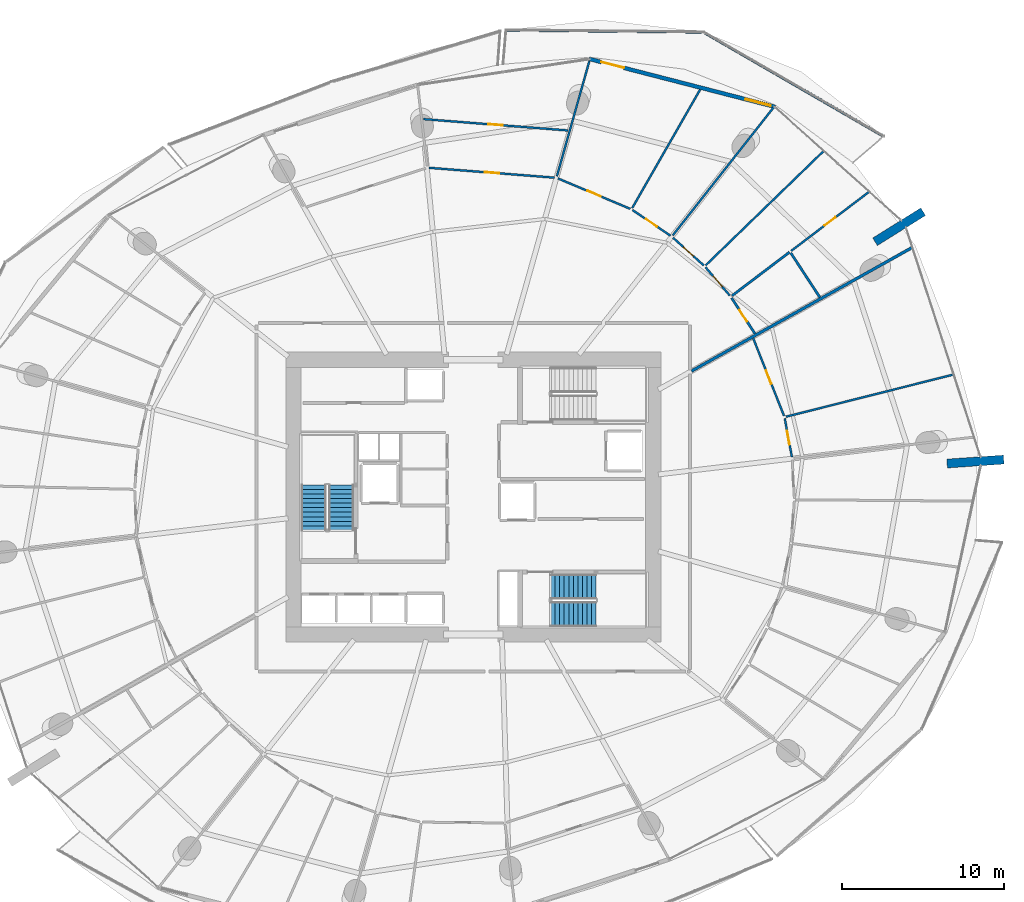
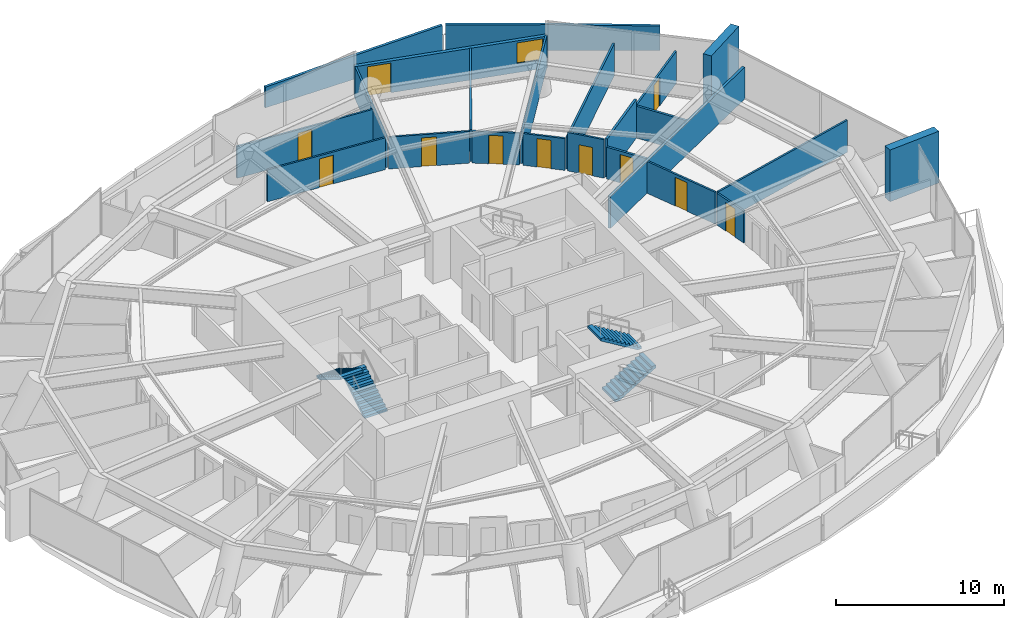
# One storey, part 23 of 31: 23 walls, 11 doors, 4 stair flights, 1 window, 12 openings, 2 elements without a shape of their own.
"""IFC4 building model written with IfcOpenShell, lengths in metres."""

from ifc_helpers import new_model, si_unit, direction, frame, frame_2d, origin, place, context, subcontext, project, spatial, polyline, rectangle, outline, extrude, material, layer, layer_set, type_object, element, fill, aggregate, save


model = new_model("IFC4")

# Units and contexts
model_context = context("Model", 3, precision=1e-05, world=origin(), true_north=direction((0.0, 1.0)))
body_context = subcontext(model_context, "Body", "Model", "MODEL_VIEW")
ifc_project = project(units=[si_unit("LENGTHUNIT", "METRE"), si_unit("AREAUNIT", "SQUARE_METRE"), si_unit("VOLUMEUNIT", "CUBIC_METRE"), si_unit("PLANEANGLEUNIT", "RADIAN"), si_unit("MASSUNIT", "GRAM", prefix="KILO")], contexts=[model_context])

# Site, building, storey
site_placement = place(None, origin())
site = spatial("IfcSite", under=ifc_project, at=site_placement, CompositionType="ELEMENT")
building_placement = place(site_placement, origin())
building = spatial("IfcBuilding", under=site, at=building_placement, Name="Kazma Halo Residences", CompositionType="ELEMENT")
storey_placement = place(building_placement, frame((0.0, 0.0, 71.39990234375)))
storey = spatial("IfcBuildingStorey", under=building, at=storey_placement, Name="L17", CompositionType="ELEMENT", Elevation=71.39990234375)

# Walls
ifc_material_1 = material(Name="White Concrete C50/60 Balustrade", Category="concrete")
ifc_layer_1 = layer(ifc_material_1, 0.179931640625)
ifc_layer_set_1 = layer_set([ifc_layer_1], Name="White Concrete C50/60 Balustrade")
wall_type_1 = type_object("IfcWallType", Name="WL-BAL-WAVE-180", PredefinedType="PARAPET", material=ifc_layer_set_1)
wall_1_placement = place(storey_placement, frame((73.763916015625, 64.278076171875, 0.0), z_axis=(0.0, 0.0, 1.0), x_axis=(-0.865601166392, 0.500734081865, 0.0)))
element("IfcWall", 1, at=wall_1_placement, inside=storey, type_object=wall_type_1, Name="L17 white wave balustrade wall NE.1", PredefinedType="PARAPET", context=body_context, shape_type="SweptSolid", body=[
    extrude(outline(polyline([(0.0, 0.0), (12.739990234375, 0.0), (12.739990234375, 1.83203125), (6.3701171875, 1.85302734375), (0.0, 1.756103515625), (0.0, 0.0)])), frame((0.0, 0.08984375, 0.0), z_axis=(0.0, -1.0, 0.0), x_axis=(1.0, 0.0, 0.0)), (0.0, 0.0, 1.0), 0.179931640625),
])
wall_2_placement = place(storey_placement, frame((62.51220703125, 70.71875, 0.0), z_axis=(0.0, 0.0, 1.0), x_axis=(-0.999947583676, 0.010238647403, 0.0)))
element("IfcWall", 2, at=wall_2_placement, inside=storey, type_object=wall_type_1, Name="L17 white wave balustrade wall NE.2", PredefinedType="PARAPET", context=body_context, shape_type="SweptSolid", body=[
    extrude(outline(polyline([(0.0, 0.0), (12.065673828125, 0.0), (12.065673828125, 1.4970703125), (6.03271484375, 1.696044921875), (0.0, 1.83203125), (0.0, 0.0)])), frame((0.0, 0.08984375, 0.0), z_axis=(0.0, -1.0, 0.0), x_axis=(1.0, 0.0, 0.0)), (0.0, 0.0, 1.0), 0.179931640625),
])
ifc_material_2 = material(Name="Pale Concrete C60/75", Category="concrete")
ifc_layer_2 = layer(ifc_material_2, 0.550048828125)
ifc_layer_set_2 = layer_set([ifc_layer_2], Name="Pale Concrete C60/75")
wall_type_2 = type_object("IfcWallType", Name="WL-BLADE-550", PredefinedType="SOLIDWALL", material=ifc_layer_set_2)
for number, where, z_axis, x_axis, name in (
    (3, (73.229736328125, 57.765380859375, 0.0), (0.0, 0.0, 1.0), (0.848053161125, 0.529911158502, 0.0), "L17 pale concrete structural blade fin wall BW-01"),
    (4, (77.677978515625, 44.0751953125, 0.0), (0.0, 0.0, 1.0), (0.997564163539, 0.069754853754, 0.0), "L17 pale concrete structural blade fin wall BW-04"),
):
    element("IfcWall", number, at=place(storey_placement, frame(where, z_axis=z_axis, x_axis=x_axis)), inside=storey, type_object=wall_type_2, Name=name, PredefinedType="SOLIDWALL", context=body_context, shape_type="SweptSolid", body=[
        extrude(rectangle(XDim=3.5, YDim=0.550048828125, at=frame_2d((1.75, 0.0))), origin(), (0.0, 0.0, 1.0), 3.75),
    ])
ifc_material_3 = material(Name="Acoustic Twin-Stud Gypsum")
ifc_layer_3 = layer(ifc_material_3, 0.179931640625)
ifc_layer_set_3 = layer_set([ifc_layer_3], Name="Acoustic Twin-Stud Gypsum")
wall_type_3 = type_object("IfcWallType", Name="WL-DEM-180", PredefinedType="PARTITIONING", material=ifc_layer_set_3)
wall_3_placement = place(storey_placement, frame((61.89599609375, 49.781982421875, 0.0), z_axis=(0.0, 0.0, 1.0), x_axis=(0.872493215695, 0.488626225828, 0.0)))
element("IfcWall", 5, at=wall_3_placement, inside=storey, type_object=wall_type_3, Name="L17 apartment demising radial wall 00", PredefinedType="PARTITIONING", context=body_context, shape_type="SweptSolid", body=[
    extrude(rectangle(XDim=15.612060546875, YDim=0.179931640625, at=frame_2d((7.80615234375, 0.0))), origin(), (0.0, 0.0, 1.0), 2.30712890625),
])

# Wall, openings, door, window
ifc_material_4 = material(Name="Insulated Pale-Metal Composite Wall")
ifc_layer_4 = layer(ifc_material_4, 0.239990234375)
ifc_layer_set_4 = layer_set([ifc_layer_4], Name="Insulated Pale-Metal Composite Wall")
wall_type_4 = type_object("IfcWallType", Name="WL-EXT-HOST-240", PredefinedType="SOLIDWALL", material=ifc_layer_set_4)
wall_4_placement = place(storey_placement, frame((67.05419921875, 66.09619140625, 0.0), z_axis=(0.0, 0.0, 1.0), x_axis=(-0.96833871487, 0.249640007378, 0.0)))
wall_4 = element("IfcWall", 6, at=wall_4_placement, inside=storey, type_object=wall_type_4, Name="L17 exterior terrace-access wall B02", PredefinedType="SOLIDWALL", context=body_context, shape_type="SweptSolid", body=[
    extrude(rectangle(XDim=11.85107421875, YDim=0.239990234375, at=frame_2d((5.925537109375, 0.0))), origin(), (0.0, 0.0, 1.0), 2.300048828125),
])
opening_1_placement = place(wall_4_placement, frame((9.631103515625, 0.0, 0.0)))
opening_1 = element("IfcOpeningElement", 7, at=opening_1_placement, cuts=wall_4, Name="Opening DTR-1600", PredefinedType="OPENING", context=body_context, shape_type="SweptSolid", body=[
    extrude(rectangle(XDim=1.449951171875, YDim=2.14990234375, at=frame_2d((0.72509765625, 1.074951171875))), frame((0.0, 0.1298828125, 0.0), z_axis=(0.0, -1.0, 0.0), x_axis=(1.0, 0.0, 0.0)), (0.0, 0.0, 1.0), 0.260009765625),
])
opening_2_placement = place(wall_4_placement, frame((0.280029296875, 0.0, 0.64990234375)))
opening_2 = element("IfcOpeningElement", 8, at=opening_2_placement, cuts=wall_4, Name="Opening W-1800", PredefinedType="OPENING", context=body_context, shape_type="SweptSolid", body=[
    extrude(rectangle(XDim=1.60009765625, YDim=1.5, at=frame_2d((0.800048828125, 0.75))), frame((0.0, 0.1298828125, 0.0), z_axis=(0.0, -1.0, 0.0), x_axis=(1.0, 0.0, 0.0)), (0.0, 0.0, 1.0), 0.260009765625),
])
ifc_material_5 = material(Name="Aluminium AW-6063 T6 Double-Glazed Terrace Door", Category="aluminium")
door_type_1 = type_object("IfcDoorType", Name="DR-EXT-TERR-1600", OperationType="NOTDEFINED", PredefinedType="DOOR", material=ifc_material_5)
door_1_placement = place(opening_1_placement, origin())
door_1 = element("IfcDoor", 9, at=door_1_placement, inside=storey, type_object=door_type_1, Name="L17 B02 balcony terrace door", OperationType="DOUBLE_DOOR_SLIDING", OverallHeight=2.14990234375, OverallWidth=1.449951171875, PredefinedType="DOOR", context=body_context, shape_type="SweptSolid", body=[
    extrude(rectangle(XDim=1.449951171875, YDim=2.14990234375, at=frame_2d((0.72509765625, 1.074951171875))), frame((0.0, 0.02490234375, 0.0), z_axis=(0.0, -1.0, 0.0), x_axis=(1.0, 0.0, 0.0)), (0.0, 0.0, 1.0), 0.050048828125),
])
fill(opening_1, door_1)
ifc_material_6 = material(Name="Clear Triple-Silver Low-E Glass in Aluminium AW-6063 T6 Frame", Category="aluminium")
window_type = type_object("IfcWindowType", Name="WIN-RES-1800", PartitioningType="DOUBLE_PANEL_VERTICAL", PredefinedType="WINDOW", material=ifc_material_6)
window_placement = place(opening_2_placement, origin())
window = element("IfcWindow", 10, at=window_placement, inside=storey, type_object=window_type, Name="L17 B02 apartment window", OverallHeight=1.5, OverallWidth=1.60009765625, PartitioningType="SINGLE_PANEL", PredefinedType="WINDOW", context=body_context, shape_type="SweptSolid", body=[
    extrude(rectangle(XDim=1.60009765625, YDim=1.5, at=frame_2d((0.800048828125, 0.75))), frame((0.0, 0.030029296875, 0.0), z_axis=(0.0, -1.0, 0.0), x_axis=(1.0, 0.0, 0.0)), (0.0, 0.0, 1.0), 0.06005859375),
])
fill(opening_2, window)

# Wall, opening, door
ifc_material_7 = material(Name="Gypsum Plasterboard Partition")
ifc_layer_5 = layer(ifc_material_7, 0.125)
ifc_layer_set_5 = layer_set([ifc_layer_5], Name="Gypsum Plasterboard Partition")
wall_type_5 = type_object("IfcWallType", Name="WL-PART-125", PredefinedType="PARTITIONING", material=ifc_layer_set_5)
wall_5_placement = place(storey_placement, frame((68.051025390625, 57.203125, 0.0), z_axis=(0.0, 0.0, 1.0), x_axis=(0.796847589026, 0.604180370307, 0.0)))
wall_5 = element("IfcWall", 11, at=wall_5_placement, inside=storey, type_object=wall_type_5, Name="L17 Apartment 1 Utility Laundry Room partition wall", PredefinedType="PARTITIONING", context=body_context, shape_type="SweptSolid", body=[
    extrude(rectangle(XDim=6.01513671875, YDim=0.125, at=frame_2d((3.007568359375, 0.0))), origin(), (0.0, 0.0, 1.0), 2.3251953125),
])
opening_3_placement = place(wall_5_placement, frame((2.58251953125, 0.0, 0.0)))
opening_3 = element("IfcOpeningElement", 12, at=opening_3_placement, cuts=wall_5, Name="Opening DB-900", PredefinedType="OPENING", context=body_context, shape_type="SweptSolid", body=[
    extrude(rectangle(XDim=0.85009765625, YDim=2.06005859375, at=frame_2d((0.425048828125, 1.030029296875))), frame((0.0, 0.072509765625, 0.0), z_axis=(0.0, -1.0, 0.0), x_axis=(1.0, 0.0, 0.0)), (0.0, 0.0, 1.0), 0.14501953125),
])
ifc_material_8 = material(Name="Moisture-Sealed Timber Leaf", Category="wood")
door_type_2 = type_object("IfcDoorType", Name="DR-BTH-900", OperationType="NOTDEFINED", PredefinedType="DOOR", material=ifc_material_8)
door_2_placement = place(opening_3_placement, origin())
door_2 = element("IfcDoor", 13, at=door_2_placement, inside=storey, type_object=door_type_2, Name="L17 Apartment 1 Utility Laundry Room door", OperationType="SINGLE_SWING_LEFT", OverallHeight=2.06005859375, OverallWidth=0.85009765625, PredefinedType="DOOR", context=body_context, shape_type="SweptSolid", body=[
    extrude(rectangle(XDim=0.85009765625, YDim=2.06005859375, at=frame_2d((0.425048828125, 1.030029296875))), frame((0.0, 0.02490234375, 0.0), z_axis=(0.0, -1.0, 0.0), x_axis=(1.0, 0.0, 0.0)), (0.0, 0.0, 1.0), 0.050048828125),
])
fill(opening_3, door_2)

# Wall
wall_6_placement = place(storey_placement, frame((62.775146484375, 56.31591796875, 0.0), z_axis=(0.0, 0.0, 1.0), x_axis=(0.718182919159, 0.695854363088, 0.0)))
element("IfcWall", 14, at=wall_6_placement, inside=storey, type_object=wall_type_5, Name="L17 Apartment 1 suite divider 0", PredefinedType="PARTITIONING", context=body_context, shape_type="SweptSolid", body=[
    extrude(rectangle(XDim=10.114013671875, YDim=0.125, at=frame_2d((5.05712890625, 0.0))), origin(), (0.0, 0.0, 1.0), 2.3251953125),
])

# Wall, opening, door
wall_7_placement = place(storey_placement, frame((64.26318359375, 54.44384765625, 0.0), z_axis=(0.0, 0.0, 1.0), x_axis=(-0.651227570151, 0.758882502022, 0.0)))
wall_7 = element("IfcWall", 15, at=wall_7_placement, inside=storey, type_object=wall_type_5, Name="L17 Apartment 1 Gourmet Kitchen hall wall", PredefinedType="PARTITIONING", context=body_context, shape_type="SweptSolid", body=[
    extrude(rectangle(XDim=2.30419921875, YDim=0.125, at=frame_2d((1.152099609375, 0.0))), origin(), (0.0, 0.0, 1.0), 2.7900390625),
])
opening_4_placement = place(wall_7_placement, frame((0.72705078125, 0.0, 0.0)))
opening_4 = element("IfcOpeningElement", 16, at=opening_4_placement, cuts=wall_7, Name="Opening DB-900", PredefinedType="OPENING", context=body_context, shape_type="SweptSolid", body=[
    extrude(rectangle(XDim=0.85009765625, YDim=2.06005859375, at=frame_2d((0.425048828125, 1.030029296875))), frame((0.0, 0.072509765625, 0.0), z_axis=(0.0, -1.0, 0.0), x_axis=(1.0, 0.0, 0.0)), (0.0, 0.0, 1.0), 0.14501953125),
])
door_3_placement = place(opening_4_placement, origin())
door_3 = element("IfcDoor", 17, at=door_3_placement, inside=storey, type_object=door_type_2, Name="L17 Apartment 1 Gourmet Kitchen door", OperationType="SINGLE_SWING_RIGHT", OverallHeight=2.06005859375, OverallWidth=0.85009765625, PredefinedType="DOOR", context=body_context, shape_type="SweptSolid", body=[
    extrude(rectangle(XDim=0.85009765625, YDim=2.06005859375, at=frame_2d((0.425048828125, 1.030029296875))), frame((0.0, 0.02490234375, 0.0), z_axis=(0.0, -1.0, 0.0), x_axis=(1.0, 0.0, 0.0)), (0.0, 0.0, 1.0), 0.050048828125),
])
fill(opening_4, door_3)

wall_8_placement = place(storey_placement, frame((62.651123046875, 56.306884765625, 0.0), z_axis=(0.0, 0.0, 1.0), x_axis=(-0.742266720662, 0.670104555571, 0.0)))
wall_8 = element("IfcWall", 18, at=wall_8_placement, inside=storey, type_object=wall_type_5, Name="L17 Apartment 1 Primary Bedroom hall wall", PredefinedType="PARTITIONING", context=body_context, shape_type="SweptSolid", body=[
    extrude(rectangle(XDim=2.554443359375, YDim=0.125, at=frame_2d((1.27734375, 0.0))), origin(), (0.0, 0.0, 1.0), 2.30712890625),
])
opening_5_placement = place(wall_8_placement, frame((0.852294921875, 0.0, 0.0)))
opening_5 = element("IfcOpeningElement", 19, at=opening_5_placement, cuts=wall_8, Name="Opening DB-900", PredefinedType="OPENING", context=body_context, shape_type="SweptSolid", body=[
    extrude(rectangle(XDim=0.85009765625, YDim=2.06005859375, at=frame_2d((0.425048828125, 1.030029296875))), frame((0.0, 0.072509765625, 0.0), z_axis=(0.0, -1.0, 0.0), x_axis=(1.0, 0.0, 0.0)), (0.0, 0.0, 1.0), 0.14501953125),
])
door_4_placement = place(opening_5_placement, origin())
door_4 = element("IfcDoor", 20, at=door_4_placement, inside=storey, type_object=door_type_2, Name="L17 Apartment 1 Primary Bedroom door", OperationType="SINGLE_SWING_LEFT", OverallHeight=2.06005859375, OverallWidth=0.85009765625, PredefinedType="DOOR", context=body_context, shape_type="SweptSolid", body=[
    extrude(rectangle(XDim=0.85009765625, YDim=2.06005859375, at=frame_2d((0.425048828125, 1.030029296875))), frame((0.0, 0.02490234375, 0.0), z_axis=(0.0, -1.0, 0.0), x_axis=(1.0, 0.0, 0.0)), (0.0, 0.0, 1.0), 0.050048828125),
])
fill(opening_5, door_4)

# Walls
wall_9_placement = place(storey_placement, frame((60.742919921875, 58.1640625, 0.0), z_axis=(0.0, 0.0, 1.0), x_axis=(0.61907620874, 0.785330916093, 0.0)))
element("IfcWall", 21, at=wall_9_placement, inside=storey, type_object=wall_type_5, Name="L17 Apartment 1 radial partition 1", PredefinedType="PARTITIONING", context=body_context, shape_type="SweptSolid", body=[
    extrude(rectangle(XDim=10.09130859375, YDim=0.125, at=frame_2d((5.045654296875, 0.0))), origin(), (0.0, 0.0, 1.0), 2.30712890625),
])
wall_10_placement = place(storey_placement, frame((58.235107421875, 59.84619140625, 0.0), z_axis=(0.0, 0.0, 1.0), x_axis=(0.497506673172, 0.867460149027, 0.0)))
element("IfcWall", 22, at=wall_10_placement, inside=storey, type_object=wall_type_5, Name="L17 Apartment 1 mid-bay wall 1", PredefinedType="PARTITIONING", context=body_context, shape_type="SweptSolid", body=[
    extrude(rectangle(XDim=8.43505859375, YDim=0.125, at=frame_2d((4.217529296875, 0.0))), origin(), (0.0, 0.0, 1.0), 2.3251953125),
])

# Wall, opening, door
wall_11_placement = place(storey_placement, frame((60.597900390625, 58.1416015625, 0.0), z_axis=(0.0, 0.0, 1.0), x_axis=(-0.828618216794, 0.559814121648, 0.0)))
wall_11 = element("IfcWall", 23, at=wall_11_placement, inside=storey, type_object=wall_type_5, Name="L17 Apartment 1 North Bedroom hall wall", PredefinedType="PARTITIONING", context=body_context, shape_type="SweptSolid", body=[
    extrude(rectangle(XDim=2.825439453125, YDim=0.125, at=frame_2d((1.41259765625, 0.0))), origin(), (0.0, 0.0, 1.0), 2.30712890625),
])
opening_6_placement = place(wall_11_placement, frame((0.98779296875, 0.0, 0.0)))
opening_6 = element("IfcOpeningElement", 24, at=opening_6_placement, cuts=wall_11, Name="Opening DB-900", PredefinedType="OPENING", context=body_context, shape_type="SweptSolid", body=[
    extrude(rectangle(XDim=0.85009765625, YDim=2.06005859375, at=frame_2d((0.425048828125, 1.030029296875))), frame((0.0, 0.072509765625, 0.0), z_axis=(0.0, -1.0, 0.0), x_axis=(1.0, 0.0, 0.0)), (0.0, 0.0, 1.0), 0.14501953125),
])
door_5_placement = place(opening_6_placement, origin())
door_5 = element("IfcDoor", 25, at=door_5_placement, inside=storey, type_object=door_type_2, Name="L17 Apartment 1 North Bedroom door", OperationType="SINGLE_SWING_LEFT", OverallHeight=2.06005859375, OverallWidth=0.85009765625, PredefinedType="DOOR", context=body_context, shape_type="SweptSolid", body=[
    extrude(rectangle(XDim=0.85009765625, YDim=2.06005859375, at=frame_2d((0.425048828125, 1.030029296875))), frame((0.0, 0.02490234375, 0.0), z_axis=(0.0, -1.0, 0.0), x_axis=(1.0, 0.0, 0.0)), (0.0, 0.0, 1.0), 0.050048828125),
])
fill(opening_6, door_5)

wall_12_placement = place(storey_placement, frame((58.11669921875, 59.79931640625, 0.0), z_axis=(0.0, 0.0, 1.0), x_axis=(-0.921919817634, 0.387380755657, 0.0)))
wall_12 = element("IfcWall", 26, at=wall_12_placement, inside=storey, type_object=wall_type_5, Name="L17 Apartment 1 South Master Bedroom hall wall", PredefinedType="PARTITIONING", context=body_context, shape_type="SweptSolid", body=[
    extrude(rectangle(XDim=4.8427734375, YDim=0.125, at=frame_2d((2.42138671875, 0.0))), origin(), (0.0, 0.0, 1.0), 2.30712890625),
])
opening_7_placement = place(wall_12_placement, frame((1.97119140625, 0.0, 0.0)))
opening_7 = element("IfcOpeningElement", 27, at=opening_7_placement, cuts=wall_12, Name="Opening DI-950", PredefinedType="OPENING", context=body_context, shape_type="SweptSolid", body=[
    extrude(rectangle(XDim=0.89990234375, YDim=2.080078125, at=frame_2d((0.449951171875, 1.0400390625))), frame((0.0, 0.072509765625, 0.0), z_axis=(0.0, -1.0, 0.0), x_axis=(1.0, 0.0, 0.0)), (0.0, 0.0, 1.0), 0.14501953125),
])
ifc_material_9 = material(Name="Timber Veneer Flush Leaf", Category="wood")
door_type_3 = type_object("IfcDoorType", Name="DR-INT-950", OperationType="NOTDEFINED", PredefinedType="DOOR", material=ifc_material_9)
door_6_placement = place(opening_7_placement, origin())
door_6 = element("IfcDoor", 28, at=door_6_placement, inside=storey, type_object=door_type_3, Name="L17 Apartment 1 South Master Bedroom door", OperationType="SINGLE_SWING_RIGHT", OverallHeight=2.080078125, OverallWidth=0.89990234375, PredefinedType="DOOR", context=body_context, shape_type="SweptSolid", body=[
    extrude(rectangle(XDim=0.89990234375, YDim=2.080078125, at=frame_2d((0.449951171875, 1.0400390625))), frame((0.0, 0.02490234375, 0.0), z_axis=(0.0, -1.0, 0.0), x_axis=(1.0, 0.0, 0.0)), (0.0, 0.0, 1.0), 0.050048828125),
])
fill(opening_7, door_6)

# Wall
wall_13_placement = place(storey_placement, frame((53.5869140625, 61.810302734375, 0.0), z_axis=(0.0, 0.0, 1.0), x_axis=(0.271464088879, 0.962448569249, 0.0)))
element("IfcWall", 29, at=wall_13_placement, inside=storey, type_object=wall_type_5, Name="L17 Apartment 1 radial partition 2", PredefinedType="PARTITIONING", context=body_context, shape_type="SweptSolid", body=[
    extrude(rectangle(XDim=7.38916015625, YDim=0.125, at=frame_2d((3.694580078125, 0.0))), origin(), (0.0, 0.0, 1.0), 2.30712890625),
])

# Wall, opening, door
wall_14_placement = place(storey_placement, frame((53.4501953125, 61.72265625, 0.0), z_axis=(0.0, 0.0, 1.0), x_axis=(-0.996916540968, 0.078469168116, 0.0)))
wall_14 = element("IfcWall", 30, at=wall_14_placement, inside=storey, type_object=wall_type_5, Name="L17 Apartment 1 Inner Study hall wall", PredefinedType="PARTITIONING", context=body_context, shape_type="SweptSolid", body=[
    extrude(rectangle(XDim=7.77197265625, YDim=0.125, at=frame_2d((3.885986328125, 0.0))), origin(), (0.0, 0.0, 1.0), 2.30712890625),
])
opening_8_placement = place(wall_14_placement, frame((3.43603515625, 0.0, 0.0)))
opening_8 = element("IfcOpeningElement", 31, at=opening_8_placement, cuts=wall_14, Name="Opening DI-950", PredefinedType="OPENING", context=body_context, shape_type="SweptSolid", body=[
    extrude(rectangle(XDim=0.89990234375, YDim=2.080078125, at=frame_2d((0.449951171875, 1.0400390625))), frame((0.0, 0.072509765625, 0.0), z_axis=(0.0, -1.0, 0.0), x_axis=(1.0, 0.0, 0.0)), (0.0, 0.0, 1.0), 0.14501953125),
])
door_7_placement = place(opening_8_placement, origin())
door_7 = element("IfcDoor", 32, at=door_7_placement, inside=storey, type_object=door_type_3, Name="L17 Apartment 1 Inner Study door", OperationType="SINGLE_SWING_RIGHT", OverallHeight=2.080078125, OverallWidth=0.89990234375, PredefinedType="DOOR", context=body_context, shape_type="SweptSolid", body=[
    extrude(rectangle(XDim=0.89990234375, YDim=2.080078125, at=frame_2d((0.449951171875, 1.0400390625))), frame((0.0, 0.02490234375, 0.0), z_axis=(0.0, -1.0, 0.0), x_axis=(1.0, 0.0, 0.0)), (0.0, 0.0, 1.0), 0.050048828125),
])
fill(opening_8, door_7)

wall_15_placement = place(storey_placement, frame((54.272216796875, 64.636962890625, 0.0), z_axis=(0.0, 0.0, 1.0), x_axis=(-0.996918214724, 0.078447900871, 0.0)))
wall_15 = element("IfcWall", 33, at=wall_15_placement, inside=storey, type_object=wall_type_5, Name="L17 Apartment 1 Outer Bedroom divider wall", PredefinedType="PARTITIONING", context=body_context, shape_type="SweptSolid", body=[
    extrude(rectangle(XDim=8.95361328125, YDim=0.125, at=frame_2d((4.476806640625, 0.0))), origin(), (0.0, 0.0, 1.0), 2.30712890625),
])
opening_9_placement = place(wall_15_placement, frame((4.026611328125, 0.0, 0.0)))
opening_9 = element("IfcOpeningElement", 34, at=opening_9_placement, cuts=wall_15, Name="Opening DI-950", PredefinedType="OPENING", context=body_context, shape_type="SweptSolid", body=[
    extrude(rectangle(XDim=0.89990234375, YDim=2.080078125, at=frame_2d((0.449951171875, 1.0400390625))), frame((0.0, 0.072509765625, 0.0), z_axis=(0.0, -1.0, 0.0), x_axis=(1.0, 0.0, 0.0)), (0.0, 0.0, 1.0), 0.14501953125),
])
door_8_placement = place(opening_9_placement, origin())
door_8 = element("IfcDoor", 35, at=door_8_placement, inside=storey, type_object=door_type_3, Name="L17 Apartment 1 Outer Bedroom door", OperationType="SINGLE_SWING_LEFT", OverallHeight=2.080078125, OverallWidth=0.89990234375, PredefinedType="DOOR", context=body_context, shape_type="SweptSolid", body=[
    extrude(rectangle(XDim=0.89990234375, YDim=2.080078125, at=frame_2d((0.449951171875, 1.0400390625))), frame((0.0, 0.02490234375, 0.0), z_axis=(0.0, -1.0, 0.0), x_axis=(1.0, 0.0, 0.0)), (0.0, 0.0, 1.0), 0.050048828125),
])
fill(opening_9, door_8)

# Wall
wall_16_placement = place(storey_placement, frame((67.7275390625, 46.96630859375, 0.0), z_axis=(0.0, 0.0, 1.0), x_axis=(0.969745124893, 0.24411962794, 0.0)))
element("IfcWall", 36, at=wall_16_placement, inside=storey, type_object=wall_type_5, Name="L17 Apartment 2 mid-bay wall 15", PredefinedType="PARTITIONING", context=body_context, shape_type="SweptSolid", body=[
    extrude(rectangle(XDim=10.659912109375, YDim=0.125, at=frame_2d((5.330078125, 0.0))), origin(), (0.0, 0.0, 1.0), 2.3251953125),
])

# Wall, opening, door
wall_17_placement = place(storey_placement, frame((68.094482421875, 44.478759765625, 0.0), z_axis=(0.0, 0.0, 1.0), x_axis=(-0.18117779211, 0.983450358506, 0.0)))
wall_17 = element("IfcWall", 37, at=wall_17_placement, inside=storey, type_object=wall_type_5, Name="L17 Apartment 2 Garden Wine Pantry Store hall wall", PredefinedType="PARTITIONING", context=body_context, shape_type="SweptSolid", body=[
    extrude(rectangle(XDim=2.427001953125, YDim=0.125, at=frame_2d((1.21337890625, 0.0))), origin(), (0.0, 0.0, 1.0), 2.30712890625),
])
opening_10_placement = place(wall_17_placement, frame((0.788330078125, 0.0, 0.0)))
opening_10 = element("IfcOpeningElement", 38, at=opening_10_placement, cuts=wall_17, Name="Opening DB-900", PredefinedType="OPENING", context=body_context, shape_type="SweptSolid", body=[
    extrude(rectangle(XDim=0.85009765625, YDim=2.06005859375, at=frame_2d((0.425048828125, 1.030029296875))), frame((0.0, 0.072509765625, 0.0), z_axis=(0.0, -1.0, 0.0), x_axis=(1.0, 0.0, 0.0)), (0.0, 0.0, 1.0), 0.14501953125),
])
door_9_placement = place(opening_10_placement, origin())
door_9 = element("IfcDoor", 39, at=door_9_placement, inside=storey, type_object=door_type_2, Name="L17 Apartment 2 Garden Wine Pantry Store door", OperationType="SINGLE_SWING_LEFT", OverallHeight=2.06005859375, OverallWidth=0.85009765625, PredefinedType="DOOR", context=body_context, shape_type="SweptSolid", body=[
    extrude(rectangle(XDim=0.85009765625, YDim=2.06005859375, at=frame_2d((0.425048828125, 1.030029296875))), frame((0.0, 0.02490234375, 0.0), z_axis=(0.0, -1.0, 0.0), x_axis=(1.0, 0.0, 0.0)), (0.0, 0.0, 1.0), 0.050048828125),
])
fill(opening_10, door_9)

wall_18_placement = place(storey_placement, frame((67.610595703125, 47.0185546875, 0.0), z_axis=(0.0, 0.0, 1.0), x_axis=(-0.36955872322, 0.929207377334, 0.0)))
wall_18 = element("IfcWall", 40, at=wall_18_placement, inside=storey, type_object=wall_type_5, Name="L17 Apartment 2 Sky Formal Dining Room hall wall", PredefinedType="PARTITIONING", context=body_context, shape_type="SweptSolid", body=[
    extrude(rectangle(XDim=5.14892578125, YDim=0.125, at=frame_2d((2.574462890625, 0.0))), origin(), (0.0, 0.0, 1.0), 2.30712890625),
])
opening_11_placement = place(wall_18_placement, frame((2.12451171875, 0.0, 0.0)))
opening_11 = element("IfcOpeningElement", 41, at=opening_11_placement, cuts=wall_18, Name="Opening DI-950", PredefinedType="OPENING", context=body_context, shape_type="SweptSolid", body=[
    extrude(rectangle(XDim=0.89990234375, YDim=2.080078125, at=frame_2d((0.449951171875, 1.0400390625))), frame((0.0, 0.072509765625, 0.0), z_axis=(0.0, -1.0, 0.0), x_axis=(1.0, 0.0, 0.0)), (0.0, 0.0, 1.0), 0.14501953125),
])
door_10_placement = place(opening_11_placement, origin())
door_10 = element("IfcDoor", 42, at=door_10_placement, inside=storey, type_object=door_type_3, Name="L17 Apartment 2 Sky Formal Dining Room door", OperationType="SINGLE_SWING_RIGHT", OverallHeight=2.080078125, OverallWidth=0.89990234375, PredefinedType="DOOR", context=body_context, shape_type="SweptSolid", body=[
    extrude(rectangle(XDim=0.89990234375, YDim=2.080078125, at=frame_2d((0.449951171875, 1.0400390625))), frame((0.0, 0.02490234375, 0.0), z_axis=(0.0, -1.0, 0.0), x_axis=(1.0, 0.0, 0.0)), (0.0, 0.0, 1.0), 0.050048828125),
])
fill(opening_11, door_10)

ifc_material_10 = material(Name="Moisture-Resistant Gypsum")
ifc_layer_6 = layer(ifc_material_10, 0.14990234375)
ifc_layer_set_6 = layer_set([ifc_layer_6], Name="Moisture-Resistant Gypsum")
wall_type_6 = type_object("IfcWallType", Name="WL-WET-150", PredefinedType="PARTITIONING", material=ifc_layer_set_6)
wall_19_placement = place(storey_placement, frame((65.81640625, 52.092041015625, 0.0), z_axis=(0.0, 0.0, 1.0), x_axis=(-0.547635625156, 0.836716930664, 0.0)))
wall_19 = element("IfcWall", 43, at=wall_19_placement, inside=storey, type_object=wall_type_6, Name="L17 Apartment 1 Guest Bathroom hall wall", PredefinedType="PARTITIONING", context=body_context, shape_type="SweptSolid", body=[
    extrude(rectangle(XDim=2.63916015625, YDim=0.14990234375, at=frame_2d((1.319580078125, 0.0))), origin(), (0.0, 0.0, 1.0), 2.30712890625),
])
opening_12_placement = place(wall_19_placement, frame((0.89453125, 0.0, 0.0)))
opening_12 = element("IfcOpeningElement", 44, at=opening_12_placement, cuts=wall_19, Name="Opening DB-900", PredefinedType="OPENING", context=body_context, shape_type="SweptSolid", body=[
    extrude(rectangle(XDim=0.85009765625, YDim=2.06005859375, at=frame_2d((0.425048828125, 1.030029296875))), frame((0.0, 0.0849609375, 0.0), z_axis=(0.0, -1.0, 0.0), x_axis=(1.0, 0.0, 0.0)), (0.0, 0.0, 1.0), 0.169921875),
])
door_11_placement = place(opening_12_placement, origin())
door_11 = element("IfcDoor", 45, at=door_11_placement, inside=storey, type_object=door_type_2, Name="L17 Apartment 1 Guest Bathroom door", OperationType="SINGLE_SWING_RIGHT", OverallHeight=2.06005859375, OverallWidth=0.85009765625, PredefinedType="DOOR", context=body_context, shape_type="SweptSolid", body=[
    extrude(rectangle(XDim=0.85009765625, YDim=2.06005859375, at=frame_2d((0.425048828125, 1.030029296875))), frame((0.0, 0.02490234375, 0.0), z_axis=(0.0, -1.0, 0.0), x_axis=(1.0, 0.0, 0.0)), (0.0, 0.0, 1.0), 0.050048828125),
])
fill(opening_12, door_11)

# Walls
wall_20_placement = place(storey_placement, frame((69.8212890625, 54.3349609375, 0.0), z_axis=(0.0, 0.0, 1.0), x_axis=(-0.547709492592, 0.836668579382, 0.0)))
element("IfcWall", 46, at=wall_20_placement, inside=storey, type_object=wall_type_6, Name="L17 Apartment 1 Guest Bathroom back wall", PredefinedType="PARTITIONING", context=body_context, shape_type="SweptSolid", body=[
    extrude(rectangle(XDim=3.273193359375, YDim=0.14990234375, at=frame_2d((1.63671875, 0.0))), origin(), (0.0, 0.0, 1.0), 2.30712890625),
])
wall_21_placement = place(storey_placement, frame((64.3935546875, 54.429931640625, 0.0), z_axis=(0.0, 0.0, 1.0), x_axis=(0.796855751732, 0.604169604442, 0.0)))
element("IfcWall", 47, at=wall_21_placement, inside=storey, type_object=wall_type_6, Name="L17 Apartment 1 Guest Bathroom side wall", PredefinedType="PARTITIONING", context=body_context, shape_type="SweptSolid", body=[
    extrude(rectangle(XDim=4.4599609375, YDim=0.14990234375, at=frame_2d((2.22998046875, 0.0))), origin(), (0.0, 0.0, 1.0), 2.7900390625),
])

# Stair, stair flights
ifc_material_11 = material(Name="Concrete C50/60", Category="concrete")
stair_type = type_object("IfcStairType", Name="STR-RES1", PredefinedType="HALF_TURN_STAIR", material=ifc_material_11)
stair_1_placement = place(storey_placement, origin())
stair_1 = element("IfcStair", 48, at=stair_1_placement, inside=storey, type_object=stair_type, Name="L17 Core exit stair ST-01", PredefinedType="HALF_TURN_STAIR")
stair_flight_type = type_object("IfcStairFlightType", Name="STR-RES1-FLT", PredefinedType="STRAIGHT", material=ifc_material_11)
stair_flight_1_placement = place(storey_placement, frame((40.27490234375, 39.949951171875, 0.0), z_axis=(0.0, 0.0, 1.0), x_axis=(0.0, 1.0, 0.0)))
stair_flight_1 = element("IfcStairFlight", 49, at=stair_flight_1_placement, type_object=stair_flight_type, Name="ST-01 flight 1", NumberOfRisers=11, NumberOfTreads=10, PredefinedType="STRAIGHT", RiserHeight=0.170454545, TreadLength=0.28, context=body_context, shape_type="SweptSolid", body=[
    extrude(outline(polyline([(0.0, 0.0), (0.0, 0.17041015625), (0.280029296875, 0.17041015625), (0.280029296875, 0.3408203125), (0.56005859375, 0.3408203125), (0.56005859375, 0.511474609375), (0.840087890625, 0.511474609375), (0.840087890625, 0.681884765625), (1.1201171875, 0.681884765625), (1.1201171875, 0.852294921875), (1.39990234375, 0.852294921875), (1.39990234375, 1.022705078125), (1.679931640625, 1.022705078125), (1.679931640625, 1.193115234375), (1.9599609375, 1.193115234375), (1.9599609375, 1.363525390625), (2.239990234375, 1.363525390625), (2.239990234375, 1.5341796875), (2.52001953125, 1.5341796875), (2.52001953125, 1.70458984375), (2.800048828125, 1.70458984375), (2.800048828125, 1.875), (2.800048828125, 1.529052734375), (0.288330078125, 0.0), (0.0, 0.0)])), frame((0.0, 0.77490234375, 0.0), z_axis=(0.0, -1.0, 0.0), x_axis=(1.0, 0.0, 0.0)), (0.0, 0.0, 1.0), 1.550048828125),
])
stair_flight_2_placement = place(storey_placement, frame((38.574951171875, 42.75, 1.875), z_axis=(0.0, 0.0, 1.0), x_axis=(0.0, -1.0, 0.0)))
stair_flight_2 = element("IfcStairFlight", 50, at=stair_flight_2_placement, type_object=stair_flight_type, Name="ST-01 flight 2", NumberOfRisers=11, NumberOfTreads=10, PredefinedType="STRAIGHT", RiserHeight=0.170454545, TreadLength=0.28, context=body_context, shape_type="SweptSolid", body=[
    extrude(outline(polyline([(0.0, 0.0), (0.0, 0.17041015625), (0.280029296875, 0.17041015625), (0.280029296875, 0.3408203125), (0.56005859375, 0.3408203125), (0.56005859375, 0.511474609375), (0.840087890625, 0.511474609375), (0.840087890625, 0.681884765625), (1.1201171875, 0.681884765625), (1.1201171875, 0.852294921875), (1.39990234375, 0.852294921875), (1.39990234375, 1.022705078125), (1.679931640625, 1.022705078125), (1.679931640625, 1.193115234375), (1.9599609375, 1.193115234375), (1.9599609375, 1.363525390625), (2.239990234375, 1.363525390625), (2.239990234375, 1.5341796875), (2.52001953125, 1.5341796875), (2.52001953125, 1.70458984375), (2.800048828125, 1.70458984375), (2.800048828125, 1.875), (2.800048828125, 1.529052734375), (0.288330078125, 0.0), (0.0, 0.0)])), frame((0.0, 0.77490234375, 0.0), z_axis=(0.0, -1.0, 0.0), x_axis=(1.0, 0.0, 0.0)), (0.0, 0.0, 1.0), 1.550048828125),
])
aggregate(stair_1, [stair_flight_1, stair_flight_2])

stair_2_placement = place(storey_placement, origin())
stair_2 = element("IfcStair", 51, at=stair_2_placement, inside=storey, type_object=stair_type, Name="L17 Core exit stair ST-03", PredefinedType="HALF_TURN_STAIR")
stair_flight_3_placement = place(storey_placement, frame((53.199951171875, 34.77490234375, 0.0), z_axis=(0.0, 0.0, 1.0), x_axis=(1.0, 0.0, 0.0)))
stair_flight_3 = element("IfcStairFlight", 52, at=stair_flight_3_placement, type_object=stair_flight_type, Name="ST-03 flight 1", NumberOfRisers=11, NumberOfTreads=10, PredefinedType="STRAIGHT", RiserHeight=0.170454545, TreadLength=0.28, context=body_context, shape_type="SweptSolid", body=[
    extrude(outline(polyline([(0.0, 0.0), (0.0, 0.17041015625), (0.280029296875, 0.17041015625), (0.280029296875, 0.3408203125), (0.56005859375, 0.3408203125), (0.56005859375, 0.511474609375), (0.840087890625, 0.511474609375), (0.840087890625, 0.681884765625), (1.1201171875, 0.681884765625), (1.1201171875, 0.852294921875), (1.39990234375, 0.852294921875), (1.39990234375, 1.022705078125), (1.679931640625, 1.022705078125), (1.679931640625, 1.193115234375), (1.9599609375, 1.193115234375), (1.9599609375, 1.363525390625), (2.239990234375, 1.363525390625), (2.239990234375, 1.5341796875), (2.52001953125, 1.5341796875), (2.52001953125, 1.70458984375), (2.800048828125, 1.70458984375), (2.800048828125, 1.875), (2.800048828125, 1.529052734375), (0.288330078125, 0.0), (0.0, 0.0)])), frame((0.0, 0.77490234375, 0.0), z_axis=(0.0, -1.0, 0.0), x_axis=(1.0, 0.0, 0.0)), (0.0, 0.0, 1.0), 1.550048828125),
])
stair_flight_4_placement = place(storey_placement, frame((56.0, 36.47509765625, 1.875), z_axis=(0.0, 0.0, 1.0), x_axis=(-1.0, 0.0, 0.0)))
stair_flight_4 = element("IfcStairFlight", 53, at=stair_flight_4_placement, type_object=stair_flight_type, Name="ST-03 flight 2", NumberOfRisers=11, NumberOfTreads=10, PredefinedType="STRAIGHT", RiserHeight=0.170454545, TreadLength=0.28, context=body_context, shape_type="SweptSolid", body=[
    extrude(outline(polyline([(0.0, 0.0), (0.0, 0.17041015625), (0.280029296875, 0.17041015625), (0.280029296875, 0.3408203125), (0.56005859375, 0.3408203125), (0.56005859375, 0.511474609375), (0.840087890625, 0.511474609375), (0.840087890625, 0.681884765625), (1.1201171875, 0.681884765625), (1.1201171875, 0.852294921875), (1.39990234375, 0.852294921875), (1.39990234375, 1.022705078125), (1.679931640625, 1.022705078125), (1.679931640625, 1.193115234375), (1.9599609375, 1.193115234375), (1.9599609375, 1.363525390625), (2.239990234375, 1.363525390625), (2.239990234375, 1.5341796875), (2.52001953125, 1.5341796875), (2.52001953125, 1.70458984375), (2.800048828125, 1.70458984375), (2.800048828125, 1.875), (2.800048828125, 1.529052734375), (0.288330078125, 0.0), (0.0, 0.0)])), frame((0.0, 0.77490234375, 0.0), z_axis=(0.0, -1.0, 0.0), x_axis=(1.0, 0.0, 0.0)), (0.0, 0.0, 1.0), 1.550048828125),
])
aggregate(stair_2, [stair_flight_3, stair_flight_4])

save(model, "model.ifc")
